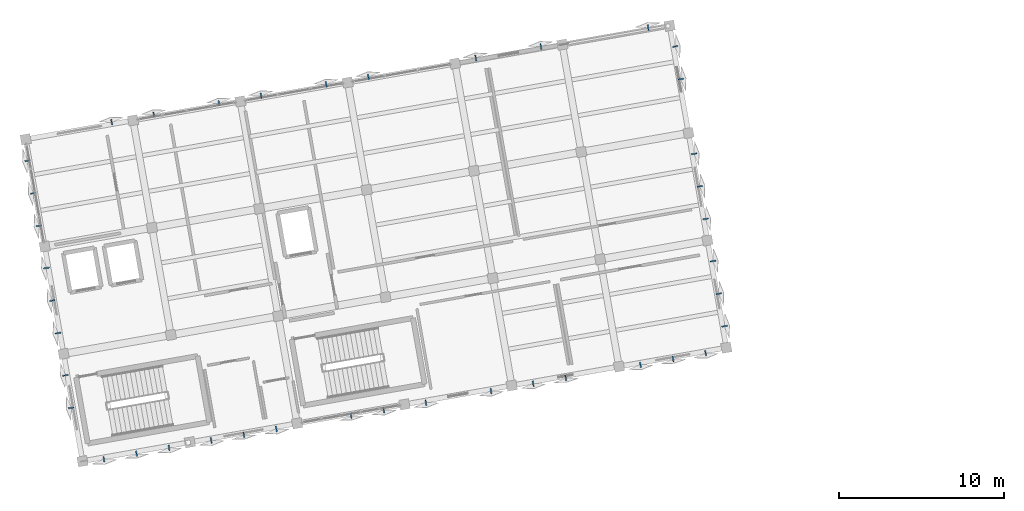
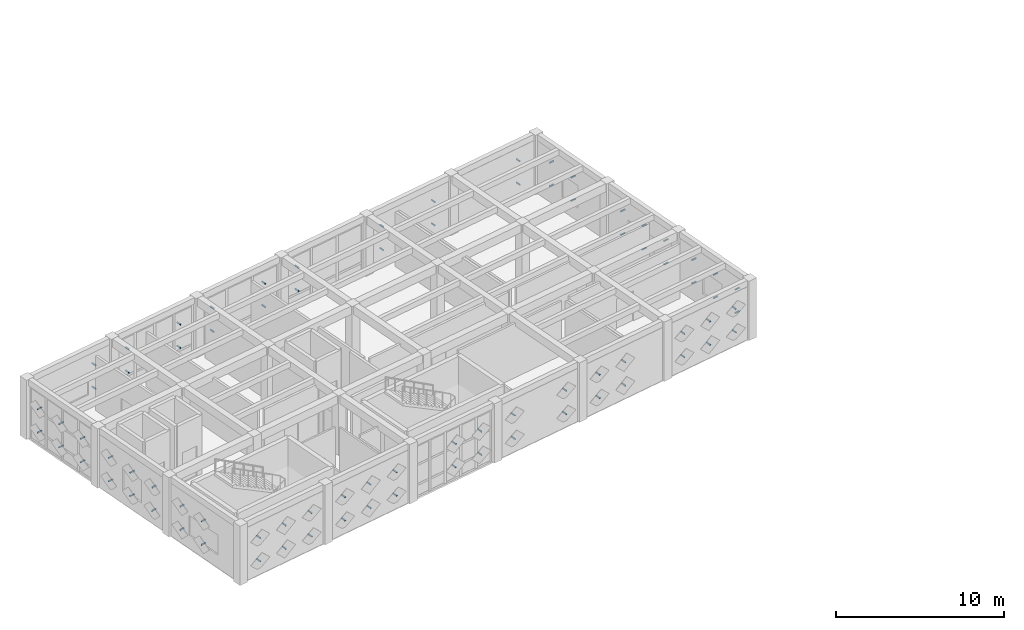
# One storey, part 32 of 36: 80 discrete accessories.
"""IFC4 building model written with IfcOpenShell, lengths in metres."""

from ifc_helpers import new_model, si_unit, direction, frame, origin, origin_2d, place, context, subcontext, project, spatial, hollow_rectangle, extrude, material, type_object, element, save


model = new_model("IFC4")

# Units and contexts
model_context = context("Model", 3, precision=1e-05, world=origin(), true_north=direction((0.0, 1.0)))
body_context = subcontext(model_context, "Body", "Model", "MODEL_VIEW")
ifc_project = project(units=[si_unit("LENGTHUNIT", "METRE"), si_unit("AREAUNIT", "SQUARE_METRE"), si_unit("VOLUMEUNIT", "CUBIC_METRE"), si_unit("PLANEANGLEUNIT", "RADIAN"), si_unit("MASSUNIT", "GRAM", prefix="KILO")], contexts=[model_context])

# Site, building, storey
site_placement = place(None, origin())
site = spatial("IfcSite", under=ifc_project, at=site_placement, CompositionType="ELEMENT")
building_placement = place(site_placement, origin())
building = spatial("IfcBuilding", under=site, at=building_placement, Name="Kharisveld Research Institute", CompositionType="ELEMENT")
storey_placement = place(building_placement, frame((0.0, 0.0, 27.60009765625)))
storey = spatial("IfcBuildingStorey", under=building, at=storey_placement, Name="L06", CompositionType="ELEMENT", Elevation=27.60009765625)

# Discrete accessories
ifc_material = material(Name="Steel S355JR", Category="steel")
discrete_accessory_type = type_object("IfcDiscreteAccessoryType", Name="BKT_ST_260", PredefinedType="BRACKET")
for number, where, z_axis, x_axis, name in (
    (1, (4.68603515625, 38.270263671875, 1.0498046875), (-0.984804615622, -0.173665969752, 0.0), (0.173665969752, -0.984804615622, 0.0), "BKT-SHD:V1:L06:W0:S1C0"),
    (2, (4.68603515625, 38.270263671875, 2.75), (-0.984804615622, -0.173665969752, 0.0), (0.173665969752, -0.984804615622, 0.0), "BKT-SHD:V1:L06:W0:S1C1"),
    (3, (4.338134765625, 40.2431640625, 1.0498046875), (-0.984804615622, -0.173665969752, 0.0), (0.173665969752, -0.984804615622, 0.0), "BKT-SHD:V1:L06:W0:S2C0"),
    (4, (4.338134765625, 40.2431640625, 2.75), (-0.984804615622, -0.173665969752, 0.0), (0.173665969752, -0.984804615622, 0.0), "BKT-SHD:V1:L06:W0:S2C1"),
    (5, (3.887939453125, 42.797119140625, 1.0498046875), (-0.984804615622, -0.173665969752, 0.0), (0.173665969752, -0.984804615622, 0.0), "BKT-SHD:V1:L06:W1:S0C0"),
    (6, (3.887939453125, 42.797119140625, 2.75), (-0.984804615622, -0.173665969752, 0.0), (0.173665969752, -0.984804615622, 0.0), "BKT-SHD:V1:L06:W1:S0C1"),
    (7, (3.5400390625, 44.77001953125, 1.0498046875), (-0.984804615622, -0.173665969752, 0.0), (0.173665969752, -0.984804615622, 0.0), "BKT-SHD:V1:L06:W1:S1C0"),
    (8, (3.5400390625, 44.77001953125, 2.75), (-0.984804615622, -0.173665969752, 0.0), (0.173665969752, -0.984804615622, 0.0), "BKT-SHD:V1:L06:W1:S1C1"),
    (9, (3.192138671875, 46.742919921875, 1.0498046875), (-0.984804615622, -0.173665969752, 0.0), (0.173665969752, -0.984804615622, 0.0), "BKT-SHD:V1:L06:W1:S2C0"),
    (10, (3.192138671875, 46.742919921875, 2.75), (-0.984804615622, -0.173665969752, 0.0), (0.173665969752, -0.984804615622, 0.0), "BKT-SHD:V1:L06:W1:S2C1"),
    (11, (2.74169921875, 49.296875, 1.0498046875), (-0.984804615622, -0.173665969752, 0.0), (0.173665969752, -0.984804615622, 0.0), "BKT-SHD:V1:L06:W2:S0C0"),
    (12, (2.74169921875, 49.296875, 2.75), (-0.984804615622, -0.173665969752, 0.0), (0.173665969752, -0.984804615622, 0.0), "BKT-SHD:V1:L06:W2:S0C1"),
):
    element("IfcDiscreteAccessory", number, at=place(storey_placement, frame(where, z_axis=z_axis, x_axis=x_axis)), inside=storey, type_object=discrete_accessory_type, material=ifc_material, Name=name, ObjectType="BRACKET", PredefinedType="BRACKET", context=body_context, shape_type="SweptSolid", body=[
        extrude(hollow_rectangle(XDim=0.080078125, YDim=0.080078125, WallThickness=0.0048828125, at=origin_2d()), origin(), (0.0, 0.0, 1.0), 0.35009765625),
    ])
for number, where, z_axis, x_axis, name in (
    (13, (2.393798828125, 51.269775390625, 1.0498046875), (-0.984783558818, -0.173785333909, 0.0), (0.173785333909, -0.984783558818, 0.0), "BKT-SHD:V1:L06:W2:S1C0"),
    (14, (2.393798828125, 51.269775390625, 2.75), (-0.984783558818, -0.173785333909, 0.0), (0.173785333909, -0.984783558818, 0.0), "BKT-SHD:V1:L06:W2:S1C1"),
    (15, (2.0458984375, 53.24267578125, 1.0498046875), (-0.984783558818, -0.173785333909, 0.0), (0.173785333909, -0.984783558818, 0.0), "BKT-SHD:V1:L06:W2:S2C0"),
    (16, (2.0458984375, 53.24267578125, 2.75), (-0.984783558818, -0.173785333909, 0.0), (0.173785333909, -0.984783558818, 0.0), "BKT-SHD:V1:L06:W2:S2C1"),
):
    element("IfcDiscreteAccessory", number, at=place(storey_placement, frame(where, z_axis=z_axis, x_axis=x_axis)), inside=storey, type_object=discrete_accessory_type, material=ifc_material, Name=name, ObjectType="BRACKET", PredefinedType="BRACKET", context=body_context, shape_type="SweptSolid", body=[
        extrude(hollow_rectangle(XDim=0.080078125, YDim=0.080078125, WallThickness=0.0048828125, at=origin_2d()), origin(), (0.0, 0.0, 1.0), 0.349853515625),
    ])
for number, where, z_axis, x_axis, name in (
    (17, (6.994873046875, 55.37109375, 1.0498046875), (-0.173665969752, 0.984804615622, 0.0), (-0.984804615622, -0.173665969752, 0.0), "BKT-SHD:V1:L06:N0:S2C0"),
    (18, (6.994873046875, 55.37109375, 2.75), (-0.173665969752, 0.984804615622, 0.0), (-0.984804615622, -0.173665969752, 0.0), "BKT-SHD:V1:L06:N0:S2C1"),
    (19, (9.548828125, 55.8212890625, 1.0498046875), (-0.173665969752, 0.984804615622, 0.0), (-0.984804615622, -0.173665969752, 0.0), "BKT-SHD:V1:L06:N1:S0C0"),
    (20, (9.548828125, 55.8212890625, 2.75), (-0.173665969752, 0.984804615622, 0.0), (-0.984804615622, -0.173665969752, 0.0), "BKT-SHD:V1:L06:N1:S0C1"),
    (21, (13.49462890625, 56.51708984375, 1.0498046875), (-0.173665969752, 0.984804615622, 0.0), (-0.984804615622, -0.173665969752, 0.0), "BKT-SHD:V1:L06:N1:S2C0"),
    (22, (13.49462890625, 56.51708984375, 2.75), (-0.173665969752, 0.984804615622, 0.0), (-0.984804615622, -0.173665969752, 0.0), "BKT-SHD:V1:L06:N1:S2C1"),
):
    element("IfcDiscreteAccessory", number, at=place(storey_placement, frame(where, z_axis=z_axis, x_axis=x_axis)), inside=storey, type_object=discrete_accessory_type, material=ifc_material, Name=name, ObjectType="BRACKET", PredefinedType="BRACKET", context=body_context, shape_type="SweptSolid", body=[
        extrude(hollow_rectangle(XDim=0.080078125, YDim=0.080078125, WallThickness=0.0048828125, at=origin_2d()), origin(), (0.0, 0.0, 1.0), 0.35009765625),
    ])
for number, where, z_axis, x_axis, name in (
    (23, (16.048583984375, 56.967529296875, 1.0498046875), (-0.173785333909, 0.984783558818, 0.0), (-0.984783558818, -0.173785333909, 0.0), "BKT-SHD:V1:L06:N2:S0C0"),
    (24, (16.048583984375, 56.967529296875, 2.75), (-0.173785333909, 0.984783558818, 0.0), (-0.984783558818, -0.173785333909, 0.0), "BKT-SHD:V1:L06:N2:S0C1"),
):
    element("IfcDiscreteAccessory", number, at=place(storey_placement, frame(where, z_axis=z_axis, x_axis=x_axis)), inside=storey, type_object=discrete_accessory_type, material=ifc_material, Name=name, ObjectType="BRACKET", PredefinedType="BRACKET", context=body_context, shape_type="SweptSolid", body=[
        extrude(hollow_rectangle(XDim=0.080078125, YDim=0.080078125, WallThickness=0.0048828125, at=origin_2d()), origin(), (0.0, 0.0, 1.0), 0.349853515625),
    ])
for number, where, z_axis, x_axis, name in (
    (25, (19.994384765625, 57.6630859375, 1.0498046875), (-0.173665969752, 0.984804615622, 0.0), (-0.984804615622, -0.173665969752, 0.0), "BKT-SHD:V1:L06:N2:S2C0"),
    (26, (19.994384765625, 57.6630859375, 2.75), (-0.173665969752, 0.984804615622, 0.0), (-0.984804615622, -0.173665969752, 0.0), "BKT-SHD:V1:L06:N2:S2C1"),
    (27, (22.54833984375, 58.113525390625, 1.0498046875), (-0.173665969752, 0.984804615622, 0.0), (-0.984804615622, -0.173665969752, 0.0), "BKT-SHD:V1:L06:N3:S0C0"),
    (28, (22.54833984375, 58.113525390625, 2.75), (-0.173665969752, 0.984804615622, 0.0), (-0.984804615622, -0.173665969752, 0.0), "BKT-SHD:V1:L06:N3:S0C1"),
    (29, (29.048095703125, 59.259521484375, 1.0498046875), (-0.173665969752, 0.984804615622, 0.0), (-0.984804615622, -0.173665969752, 0.0), "BKT-SHD:V1:L06:N4:S0C0"),
    (30, (29.048095703125, 59.259521484375, 2.75), (-0.173665969752, 0.984804615622, 0.0), (-0.984804615622, -0.173665969752, 0.0), "BKT-SHD:V1:L06:N4:S0C1"),
    (31, (32.993896484375, 59.955322265625, 1.0498046875), (-0.173665969752, 0.984804615622, 0.0), (-0.984804615622, -0.173665969752, 0.0), "BKT-SHD:V1:L06:N4:S2C0"),
    (32, (32.993896484375, 59.955322265625, 2.75), (-0.173665969752, 0.984804615622, 0.0), (-0.984804615622, -0.173665969752, 0.0), "BKT-SHD:V1:L06:N4:S2C1"),
    (33, (39.49365234375, 61.101318359375, 1.0498046875), (-0.173665969752, 0.984804615622, 0.0), (-0.984804615622, -0.173665969752, 0.0), "BKT-SHD:V1:L06:N5:S2C0"),
    (34, (39.49365234375, 61.101318359375, 2.75), (-0.173665969752, 0.984804615622, 0.0), (-0.984804615622, -0.173665969752, 0.0), "BKT-SHD:V1:L06:N5:S2C1"),
    (35, (40.92626953125, 60.098388671875, 1.0498046875), (0.984923681133, 0.172989428414, 0.0), (-0.172989428414, 0.984923681133, 0.0), "BKT-SHD:V1:L06:E3:S0C0"),
    (36, (40.92626953125, 60.098388671875, 2.75), (0.984923681133, 0.172989428414, 0.0), (-0.172989428414, 0.984923681133, 0.0), "BKT-SHD:V1:L06:E3:S0C1"),
    (37, (41.274169921875, 58.12548828125, 1.0498046875), (0.984923681133, 0.172989428414, 0.0), (-0.172989428414, 0.984923681133, 0.0), "BKT-SHD:V1:L06:E3:S1C0"),
    (38, (41.274169921875, 58.12548828125, 2.75), (0.984923681133, 0.172989428414, 0.0), (-0.172989428414, 0.984923681133, 0.0), "BKT-SHD:V1:L06:E3:S1C1"),
    (39, (42.072265625, 53.5986328125, 1.0498046875), (0.984804615622, 0.173665969752, 0.0), (-0.173665969752, 0.984804615622, 0.0), "BKT-SHD:V1:L06:E2:S0C0"),
    (40, (42.072265625, 53.5986328125, 2.75), (0.984804615622, 0.173665969752, 0.0), (-0.173665969752, 0.984804615622, 0.0), "BKT-SHD:V1:L06:E2:S0C1"),
    (41, (42.420166015625, 51.625732421875, 1.0498046875), (0.984804615622, 0.173665969752, 0.0), (-0.173665969752, 0.984804615622, 0.0), "BKT-SHD:V1:L06:E2:S1C0"),
    (42, (42.420166015625, 51.625732421875, 2.75), (0.984804615622, 0.173665969752, 0.0), (-0.173665969752, 0.984804615622, 0.0), "BKT-SHD:V1:L06:E2:S1C1"),
    (43, (42.76806640625, 49.65283203125, 1.0498046875), (0.984804615622, 0.173665969752, 0.0), (-0.173665969752, 0.984804615622, 0.0), "BKT-SHD:V1:L06:E2:S2C0"),
    (44, (42.76806640625, 49.65283203125, 2.75), (0.984804615622, 0.173665969752, 0.0), (-0.173665969752, 0.984804615622, 0.0), "BKT-SHD:V1:L06:E2:S2C1"),
):
    element("IfcDiscreteAccessory", number, at=place(storey_placement, frame(where, z_axis=z_axis, x_axis=x_axis)), inside=storey, type_object=discrete_accessory_type, material=ifc_material, Name=name, ObjectType="BRACKET", PredefinedType="BRACKET", context=body_context, shape_type="SweptSolid", body=[
        extrude(hollow_rectangle(XDim=0.080078125, YDim=0.080078125, WallThickness=0.0048828125, at=origin_2d()), origin(), (0.0, 0.0, 1.0), 0.35009765625),
    ])
for number, where, z_axis, x_axis, name in (
    (45, (43.218505859375, 47.098876953125, 1.0498046875), (0.984783558818, 0.173785333909, 0.0), (-0.173785333909, 0.984783558818, 0.0), "BKT-SHD:V1:L06:E1:S0C0"),
    (46, (43.218505859375, 47.098876953125, 2.75), (0.984783558818, 0.173785333909, 0.0), (-0.173785333909, 0.984783558818, 0.0), "BKT-SHD:V1:L06:E1:S0C1"),
):
    element("IfcDiscreteAccessory", number, at=place(storey_placement, frame(where, z_axis=z_axis, x_axis=x_axis)), inside=storey, type_object=discrete_accessory_type, material=ifc_material, Name=name, ObjectType="BRACKET", PredefinedType="BRACKET", context=body_context, shape_type="SweptSolid", body=[
        extrude(hollow_rectangle(XDim=0.080078125, YDim=0.080078125, WallThickness=0.0048828125, at=origin_2d()), origin(), (0.0, 0.0, 1.0), 0.349853515625),
    ])
for number, where, z_axis, x_axis, name in (
    (47, (43.566162109375, 45.1259765625, 1.0498046875), (0.984804615622, 0.173665969752, 0.0), (-0.173665969752, 0.984804615622, 0.0), "BKT-SHD:V1:L06:E1:S1C0"),
    (48, (43.566162109375, 45.1259765625, 2.75), (0.984804615622, 0.173665969752, 0.0), (-0.173665969752, 0.984804615622, 0.0), "BKT-SHD:V1:L06:E1:S1C1"),
    (49, (43.9140625, 43.153076171875, 1.0498046875), (0.984804615622, 0.173665969752, 0.0), (-0.173665969752, 0.984804615622, 0.0), "BKT-SHD:V1:L06:E1:S2C0"),
    (50, (43.9140625, 43.153076171875, 2.75), (0.984804615622, 0.173665969752, 0.0), (-0.173665969752, 0.984804615622, 0.0), "BKT-SHD:V1:L06:E1:S2C1"),
    (51, (42.910888671875, 41.720458984375, 1.0498046875), (0.173665969752, -0.984804615622, 0.0), (0.984804615622, 0.173665969752, 0.0), "BKT-SHD:V1:L06:S6:S0C0"),
    (52, (42.910888671875, 41.720458984375, 2.75), (0.173665969752, -0.984804615622, 0.0), (0.984804615622, 0.173665969752, 0.0), "BKT-SHD:V1:L06:S6:S0C1"),
    (53, (40.93798828125, 41.37255859375, 1.0498046875), (0.173665969752, -0.984804615622, 0.0), (0.984804615622, 0.173665969752, 0.0), "BKT-SHD:V1:L06:S6:S1C0"),
    (54, (40.93798828125, 41.37255859375, 2.75), (0.173665969752, -0.984804615622, 0.0), (0.984804615622, 0.173665969752, 0.0), "BKT-SHD:V1:L06:S6:S1C1"),
    (55, (38.965087890625, 41.024658203125, 1.0498046875), (0.173665969752, -0.984804615622, 0.0), (0.984804615622, 0.173665969752, 0.0), "BKT-SHD:V1:L06:S6:S2C0"),
    (56, (38.965087890625, 41.024658203125, 2.75), (0.173665969752, -0.984804615622, 0.0), (0.984804615622, 0.173665969752, 0.0), "BKT-SHD:V1:L06:S6:S2C1"),
):
    element("IfcDiscreteAccessory", number, at=place(storey_placement, frame(where, z_axis=z_axis, x_axis=x_axis)), inside=storey, type_object=discrete_accessory_type, material=ifc_material, Name=name, ObjectType="BRACKET", PredefinedType="BRACKET", context=body_context, shape_type="SweptSolid", body=[
        extrude(hollow_rectangle(XDim=0.080078125, YDim=0.080078125, WallThickness=0.0048828125, at=origin_2d()), origin(), (0.0, 0.0, 1.0), 0.35009765625),
    ])
for number, where, z_axis, x_axis, name in (
    (57, (34.4384765625, 40.226318359375, 1.0498046875), (0.173785333909, -0.984783558818, 0.0), (0.984783558818, 0.173785333909, 0.0), "BKT-SHD:V1:L06:S5:S1C0"),
    (58, (34.4384765625, 40.226318359375, 2.75), (0.173785333909, -0.984783558818, 0.0), (0.984783558818, 0.173785333909, 0.0), "BKT-SHD:V1:L06:S5:S1C1"),
):
    element("IfcDiscreteAccessory", number, at=place(storey_placement, frame(where, z_axis=z_axis, x_axis=x_axis)), inside=storey, type_object=discrete_accessory_type, material=ifc_material, Name=name, ObjectType="BRACKET", PredefinedType="BRACKET", context=body_context, shape_type="SweptSolid", body=[
        extrude(hollow_rectangle(XDim=0.080078125, YDim=0.080078125, WallThickness=0.0048828125, at=origin_2d()), origin(), (0.0, 0.0, 1.0), 0.349853515625),
    ])
for number, where, z_axis, x_axis, name in (
    (59, (32.465576171875, 39.878662109375, 1.0498046875), (0.173665969752, -0.984804615622, 0.0), (0.984804615622, 0.173665969752, 0.0), "BKT-SHD:V1:L06:S5:S2C0"),
    (60, (32.465576171875, 39.878662109375, 2.75), (0.173665969752, -0.984804615622, 0.0), (0.984804615622, 0.173665969752, 0.0), "BKT-SHD:V1:L06:S5:S2C1"),
    (61, (29.91162109375, 39.42822265625, 1.0498046875), (0.173665969752, -0.984804615622, 0.0), (0.984804615622, 0.173665969752, 0.0), "BKT-SHD:V1:L06:S4:S0C0"),
    (62, (29.91162109375, 39.42822265625, 2.75), (0.173665969752, -0.984804615622, 0.0), (0.984804615622, 0.173665969752, 0.0), "BKT-SHD:V1:L06:S4:S0C1"),
    (63, (25.9658203125, 38.732421875, 1.0498046875), (0.173665969752, -0.984804615622, 0.0), (0.984804615622, 0.173665969752, 0.0), "BKT-SHD:V1:L06:S4:S2C0"),
    (64, (25.9658203125, 38.732421875, 2.75), (0.173665969752, -0.984804615622, 0.0), (0.984804615622, 0.173665969752, 0.0), "BKT-SHD:V1:L06:S4:S2C1"),
    (65, (23.411865234375, 38.2822265625, 1.0498046875), (0.173665969752, -0.984804615622, 0.0), (0.984804615622, 0.173665969752, 0.0), "BKT-SHD:V1:L06:S3:S0C0"),
    (66, (23.411865234375, 38.2822265625, 2.75), (0.173665969752, -0.984804615622, 0.0), (0.984804615622, 0.173665969752, 0.0), "BKT-SHD:V1:L06:S3:S0C1"),
    (67, (21.43896484375, 37.934326171875, 1.0498046875), (0.173665969752, -0.984804615622, 0.0), (0.984804615622, 0.173665969752, 0.0), "BKT-SHD:V1:L06:S3:S1C0"),
    (68, (21.43896484375, 37.934326171875, 2.75), (0.173665969752, -0.984804615622, 0.0), (0.984804615622, 0.173665969752, 0.0), "BKT-SHD:V1:L06:S3:S1C1"),
):
    element("IfcDiscreteAccessory", number, at=place(storey_placement, frame(where, z_axis=z_axis, x_axis=x_axis)), inside=storey, type_object=discrete_accessory_type, material=ifc_material, Name=name, ObjectType="BRACKET", PredefinedType="BRACKET", context=body_context, shape_type="SweptSolid", body=[
        extrude(hollow_rectangle(XDim=0.080078125, YDim=0.080078125, WallThickness=0.0048828125, at=origin_2d()), origin(), (0.0, 0.0, 1.0), 0.35009765625),
    ])
for number, where, z_axis, x_axis, name in (
    (69, (16.912109375, 37.135986328125, 1.0498046875), (0.173785333909, -0.984783558818, 0.0), (0.984783558818, 0.173785333909, 0.0), "BKT-SHD:V1:L06:S2:S0C0"),
    (70, (16.912109375, 37.135986328125, 2.75), (0.173785333909, -0.984783558818, 0.0), (0.984783558818, 0.173785333909, 0.0), "BKT-SHD:V1:L06:S2:S0C1"),
    (71, (14.939208984375, 36.7880859375, 1.0498046875), (0.173785333909, -0.984783558818, 0.0), (0.984783558818, 0.173785333909, 0.0), "BKT-SHD:V1:L06:S2:S1C0"),
    (72, (14.939208984375, 36.7880859375, 2.75), (0.173785333909, -0.984783558818, 0.0), (0.984783558818, 0.173785333909, 0.0), "BKT-SHD:V1:L06:S2:S1C1"),
):
    element("IfcDiscreteAccessory", number, at=place(storey_placement, frame(where, z_axis=z_axis, x_axis=x_axis)), inside=storey, type_object=discrete_accessory_type, material=ifc_material, Name=name, ObjectType="BRACKET", PredefinedType="BRACKET", context=body_context, shape_type="SweptSolid", body=[
        extrude(hollow_rectangle(XDim=0.080078125, YDim=0.080078125, WallThickness=0.0048828125, at=origin_2d()), origin(), (0.0, 0.0, 1.0), 0.349853515625),
    ])
for number, where, z_axis, x_axis, name in (
    (73, (12.96630859375, 36.4404296875, 1.0498046875), (0.173665969752, -0.984804615622, 0.0), (0.984804615622, 0.173665969752, 0.0), "BKT-SHD:V1:L06:S2:S2C0"),
    (74, (12.96630859375, 36.4404296875, 2.75), (0.173665969752, -0.984804615622, 0.0), (0.984804615622, 0.173665969752, 0.0), "BKT-SHD:V1:L06:S2:S2C1"),
    (75, (10.412353515625, 35.989990234375, 1.0498046875), (0.173665969752, -0.984804615622, 0.0), (0.984804615622, 0.173665969752, 0.0), "BKT-SHD:V1:L06:S1:S0C0"),
    (76, (10.412353515625, 35.989990234375, 2.75), (0.173665969752, -0.984804615622, 0.0), (0.984804615622, 0.173665969752, 0.0), "BKT-SHD:V1:L06:S1:S0C1"),
    (77, (8.439453125, 35.64208984375, 1.0498046875), (0.173665969752, -0.984804615622, 0.0), (0.984804615622, 0.173665969752, 0.0), "BKT-SHD:V1:L06:S1:S1C0"),
    (78, (8.439453125, 35.64208984375, 2.75), (0.173665969752, -0.984804615622, 0.0), (0.984804615622, 0.173665969752, 0.0), "BKT-SHD:V1:L06:S1:S1C1"),
    (79, (6.466552734375, 35.294189453125, 1.0498046875), (0.173665969752, -0.984804615622, 0.0), (0.984804615622, 0.173665969752, 0.0), "BKT-SHD:V1:L06:S1:S2C0"),
    (80, (6.466552734375, 35.294189453125, 2.75), (0.173665969752, -0.984804615622, 0.0), (0.984804615622, 0.173665969752, 0.0), "BKT-SHD:V1:L06:S1:S2C1"),
):
    element("IfcDiscreteAccessory", number, at=place(storey_placement, frame(where, z_axis=z_axis, x_axis=x_axis)), inside=storey, type_object=discrete_accessory_type, material=ifc_material, Name=name, ObjectType="BRACKET", PredefinedType="BRACKET", context=body_context, shape_type="SweptSolid", body=[
        extrude(hollow_rectangle(XDim=0.080078125, YDim=0.080078125, WallThickness=0.0048828125, at=origin_2d()), origin(), (0.0, 0.0, 1.0), 0.35009765625),
    ])

save(model, "model.ifc")
